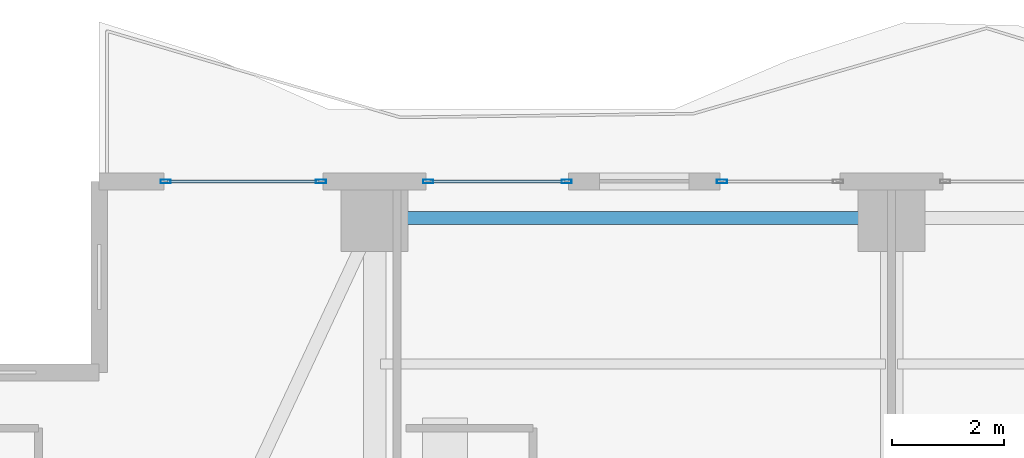
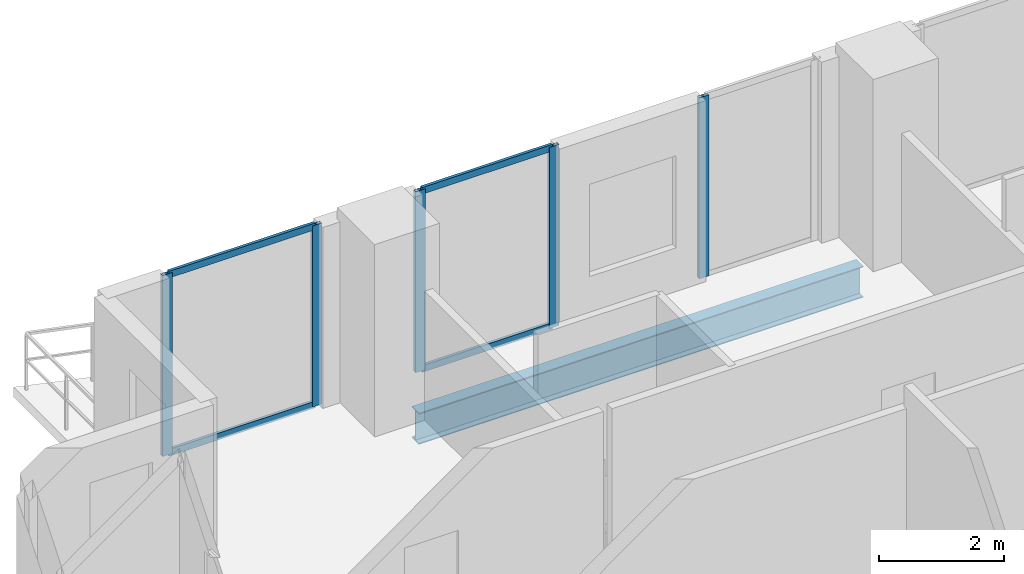
# One storey, part 18 of 33: 9 members, 1 beam, 3 elements without a shape of their own.
"""IFC4 building model written with IfcOpenShell, lengths in metres."""

from ifc_helpers import new_model, si_unit, direction, frame, origin, origin_2d, place, context, subcontext, project, spatial, hollow_rectangle, i_section, extrude, material, layer, layer_set, material_profile, profile_set, type_object, element, aggregate, save


model = new_model("IFC4")

# Units and contexts
model_context = context("Model", 3, precision=1e-05, world=origin(), true_north=direction((0.0, 1.0)))
body_context = subcontext(model_context, "Body", "Model", "MODEL_VIEW")
ifc_project = project(units=[si_unit("LENGTHUNIT", "METRE"), si_unit("AREAUNIT", "SQUARE_METRE"), si_unit("VOLUMEUNIT", "CUBIC_METRE"), si_unit("PLANEANGLEUNIT", "RADIAN"), si_unit("MASSUNIT", "GRAM", prefix="KILO")], contexts=[model_context])

# Site, building, storey
site_placement = place(None, origin())
site = spatial("IfcSite", under=ifc_project, at=site_placement, CompositionType="ELEMENT")
building_placement = place(site_placement, origin())
building = spatial("IfcBuilding", under=site, at=building_placement, Name="Zuhayl Quay Hotel", CompositionType="ELEMENT")
storey_placement = place(building_placement, frame((0.0, 0.0, 214.89990234375)))
storey = spatial("IfcBuildingStorey", under=building, at=storey_placement, Name="L54", CompositionType="ELEMENT", Elevation=214.89990234375)

# Beam
ifc_material_1 = material(Name="Steel ASTM A992 Grade 50", Category="steel")
ifc_material_profile_1 = material_profile(ifc_material_1, i_section(OverallWidth=0.22802734375, OverallDepth=0.60693359375, WebThickness=0.01123046875, FlangeThickness=0.017333984375, at=origin_2d()), Name="W24X76")
ifc_profile_set_1 = profile_set([ifc_material_profile_1], Name="Steel ASTM A992 Grade 50")
beam_type = type_object("IfcBeamType", Name="BM_B3_W24X76", PredefinedType="BEAM", material=ifc_profile_set_1)
beam_placement = place(storey_placement, frame((-5.10009765625, 32.949951171875, -0.5234375), z_axis=(-1.0, 0.0, 0.0), x_axis=(0.0, -1.0, 0.0)))
element("IfcBeam", 1, at=beam_placement, inside=storey, type_object=beam_type, Name="L54 Floor Beam RG_L54_09", PredefinedType="BEAM", context=body_context, shape_type="SweptSolid", body=[
    extrude(i_section(OverallWidth=0.22802734375, OverallDepth=0.60693359375, WebThickness=0.01123046875, FlangeThickness=0.017333984375, at=origin_2d()), origin(), (0.0, 0.0, 1.0), 8.199951171875),
])

# Curtain wall, members
ifc_material_2 = material(Name="Anodised Aluminium 6063-T6", Category="aluminium")
ifc_layer = layer(ifc_material_2, 0.175048828125, Name="Anodised Aluminium 6063-T6", Category="aluminium")
ifc_layer_set = layer_set([ifc_layer], Name="Anodised Aluminium 6063-T6")
curtain_wall_type = type_object("IfcCurtainWallType", Name="CW_SYS_Z3", PredefinedType="USERDEFINED", material=ifc_layer_set)
curtain_wall_1_placement = place(storey_placement, origin())
curtain_wall_1 = element("IfcCurtainWall", 2, at=curtain_wall_1_placement, inside=storey, type_object=curtain_wall_type, Name="L54 Curtain Wall ENV_L54_N_CW1", ObjectType="UNITISED CURTAIN WALL", PredefinedType="USERDEFINED")
ifc_material_3 = material(Name="Black-anodised aluminium 6063-T6", Category="aluminium")
ifc_material_profile_2 = material_profile(ifc_material_3, hollow_rectangle(XDim=0.06494140625, YDim=0.179931640625, WallThickness=0.00341796875, at=origin_2d()), Name="ALU180X65")
ifc_profile_set_2 = profile_set([ifc_material_profile_2], Name="Black-anodised aluminium 6063-T6")
member_type_1 = type_object("IfcMemberType", Name="MB_CW_MUL_180", PredefinedType="MULLION", material=ifc_profile_set_2)
member_1_placement = place(storey_placement, frame((-17.517578125, 33.60009765625, 0.0), z_axis=(0.0, 0.0, 1.0), x_axis=(0.0, 1.0, 0.0)))
member_1 = element("IfcMember", 3, at=member_1_placement, type_object=member_type_1, Name="CW-Z3 mullion 1", PredefinedType="MULLION", context=body_context, shape_type="SweptSolid", body=[
    extrude(hollow_rectangle(XDim=0.06494140625, YDim=0.179931640625, WallThickness=0.00341796875, at=origin_2d()), origin(), (0.0, 0.0, 1.0), 3.530029296875),
])
member_2_placement = place(storey_placement, frame((-14.75244140625, 33.60009765625, 0.0), z_axis=(0.0, 0.0, 1.0), x_axis=(0.0, 1.0, 0.0)))
member_2 = element("IfcMember", 4, at=member_2_placement, type_object=member_type_1, Name="CW-Z3 mullion 2", PredefinedType="MULLION", context=body_context, shape_type="SweptSolid", body=[
    extrude(hollow_rectangle(XDim=0.06494140625, YDim=0.179931640625, WallThickness=0.00341796875, at=origin_2d()), origin(), (0.0, 0.0, 1.0), 3.530029296875),
])

curtain_wall_2_placement = place(storey_placement, origin())
curtain_wall_2 = element("IfcCurtainWall", 5, at=curtain_wall_2_placement, inside=storey, type_object=curtain_wall_type, Name="L54 Curtain Wall ENV_L54_N_CW2", ObjectType="UNITISED CURTAIN WALL", PredefinedType="USERDEFINED")
member_3_placement = place(storey_placement, frame((-12.847412109375, 33.60009765625, 0.0), z_axis=(0.0, 0.0, 1.0), x_axis=(0.0, 1.0, 0.0)))
member_3 = element("IfcMember", 6, at=member_3_placement, type_object=member_type_1, Name="CW-Z3 mullion 1", PredefinedType="MULLION", context=body_context, shape_type="SweptSolid", body=[
    extrude(hollow_rectangle(XDim=0.06494140625, YDim=0.179931640625, WallThickness=0.00341796875, at=origin_2d()), origin(), (0.0, 0.0, 1.0), 3.530029296875),
])
member_4_placement = place(storey_placement, frame((-10.382568359375, 33.60009765625, 0.0), z_axis=(0.0, 0.0, 1.0), x_axis=(0.0, 1.0, 0.0)))
member_4 = element("IfcMember", 7, at=member_4_placement, type_object=member_type_1, Name="CW-Z3 mullion 2", PredefinedType="MULLION", context=body_context, shape_type="SweptSolid", body=[
    extrude(hollow_rectangle(XDim=0.06494140625, YDim=0.179931640625, WallThickness=0.00341796875, at=origin_2d()), origin(), (0.0, 0.0, 1.0), 3.530029296875),
])

# Curtain wall, member
curtain_wall_3_placement = place(storey_placement, origin())
curtain_wall_3 = element("IfcCurtainWall", 8, at=curtain_wall_3_placement, inside=storey, type_object=curtain_wall_type, Name="L54 Curtain Wall ENV_L54_N_CW3", ObjectType="UNITISED CURTAIN WALL", PredefinedType="USERDEFINED")
member_5_placement = place(storey_placement, frame((-7.617431640625, 33.60009765625, 0.0), z_axis=(0.0, 0.0, 1.0), x_axis=(0.0, 1.0, 0.0)))
member_5 = element("IfcMember", 9, at=member_5_placement, type_object=member_type_1, Name="CW-Z3 mullion 1", PredefinedType="MULLION", context=body_context, shape_type="SweptSolid", body=[
    extrude(hollow_rectangle(XDim=0.06494140625, YDim=0.179931640625, WallThickness=0.00341796875, at=origin_2d()), origin(), (0.0, 0.0, 1.0), 3.530029296875),
])
aggregate(curtain_wall_3, [member_5])

# Member
ifc_material_profile_3 = material_profile(ifc_material_3, hollow_rectangle(XDim=0.054931640625, YDim=0.1298828125, WallThickness=0.0029296875, at=origin_2d()), Name="ALU130X55")
ifc_profile_set_3 = profile_set([ifc_material_profile_3], Name="Black-anodised aluminium 6063-T6")
member_type_2 = type_object("IfcMemberType", Name="MB_CW_TRN_130", PredefinedType="USERDEFINED", material=ifc_profile_set_3)
member_6_placement = place(storey_placement, frame((-17.485107421875, 33.60009765625, 0.027587890625), z_axis=(1.0, 0.0, 0.0), x_axis=(0.0, 1.0, 0.0)))
member_6 = element("IfcMember", 10, at=member_6_placement, type_object=member_type_2, Name="CW-Z3 transom 1.1", ObjectType="TRANSOM", PredefinedType="USERDEFINED", context=body_context, shape_type="SweptSolid", body=[
    extrude(hollow_rectangle(XDim=0.054931640625, YDim=0.1298828125, WallThickness=0.0029296875, at=origin_2d()), origin(), (0.0, 0.0, 1.0), 2.7001953125),
])

member_7_placement = place(storey_placement, frame((-17.485107421875, 33.60009765625, 3.502685546875), z_axis=(1.0, 0.0, 0.0), x_axis=(0.0, 1.0, 0.0)))
member_7 = element("IfcMember", 11, at=member_7_placement, type_object=member_type_2, Name="CW-Z3 transom 1.2", ObjectType="TRANSOM", PredefinedType="USERDEFINED", context=body_context, shape_type="SweptSolid", body=[
    extrude(hollow_rectangle(XDim=0.054931640625, YDim=0.1298828125, WallThickness=0.0029296875, at=origin_2d()), origin(), (0.0, 0.0, 1.0), 2.7001953125),
])

aggregate(curtain_wall_1, [member_1, member_2, member_6, member_7])

member_8_placement = place(storey_placement, frame((-12.81494140625, 33.60009765625, 0.027587890625), z_axis=(1.0, 0.0, 0.0), x_axis=(0.0, 1.0, 0.0)))
member_8 = element("IfcMember", 12, at=member_8_placement, type_object=member_type_2, Name="CW-Z3 transom 1.1", ObjectType="TRANSOM", PredefinedType="USERDEFINED", context=body_context, shape_type="SweptSolid", body=[
    extrude(hollow_rectangle(XDim=0.054931640625, YDim=0.1298828125, WallThickness=0.0029296875, at=origin_2d()), origin(), (0.0, 0.0, 1.0), 2.39990234375),
])

member_9_placement = place(storey_placement, frame((-12.81494140625, 33.60009765625, 3.502685546875), z_axis=(1.0, 0.0, 0.0), x_axis=(0.0, 1.0, 0.0)))
member_9 = element("IfcMember", 13, at=member_9_placement, type_object=member_type_2, Name="CW-Z3 transom 1.2", ObjectType="TRANSOM", PredefinedType="USERDEFINED", context=body_context, shape_type="SweptSolid", body=[
    extrude(hollow_rectangle(XDim=0.054931640625, YDim=0.1298828125, WallThickness=0.0029296875, at=origin_2d()), origin(), (0.0, 0.0, 1.0), 2.39990234375),
])

aggregate(curtain_wall_2, [member_3, member_4, member_8, member_9])

save(model, "model.ifc")
